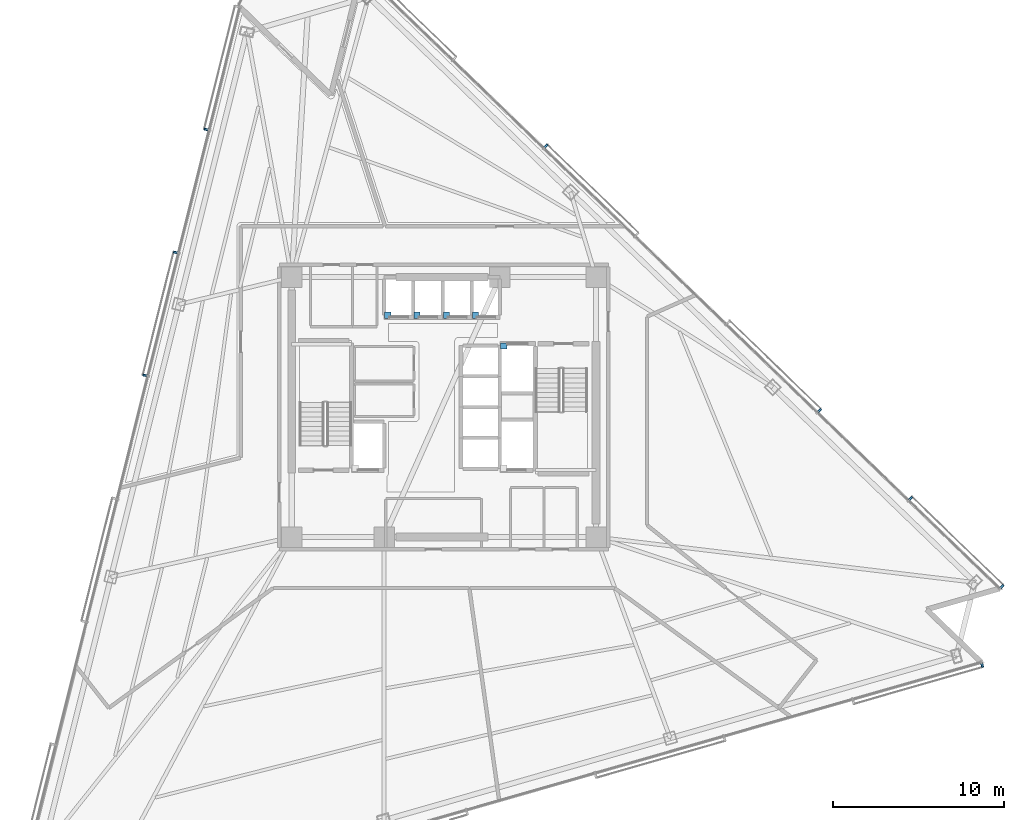
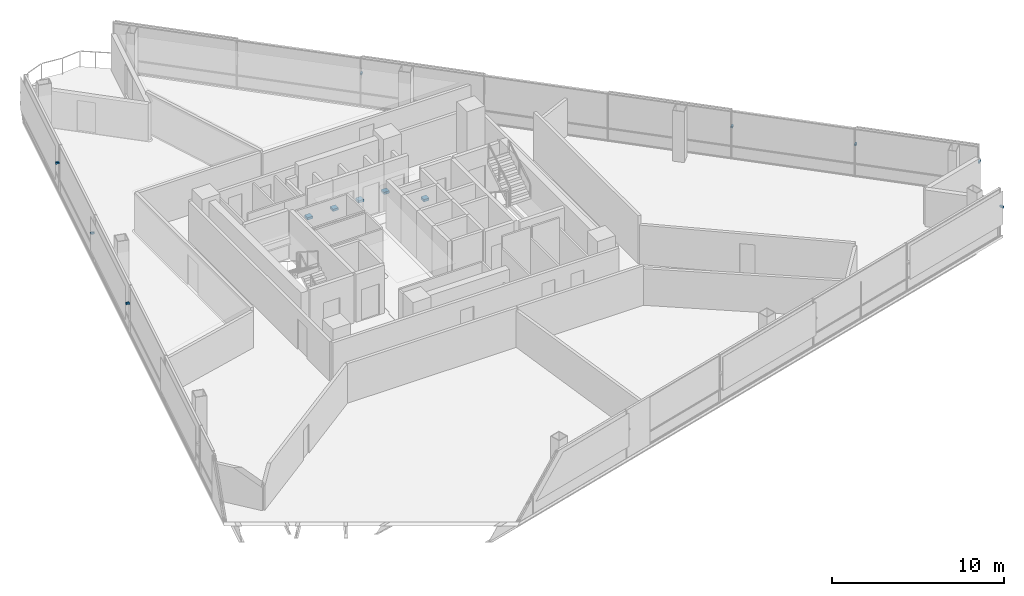
# One storey, part 13 of 18: 13 discrete accessories.
"""IFC4 building model written with IfcOpenShell, lengths in metres."""

from ifc_helpers import new_model, si_unit, direction, frame, origin, origin_2d, place, context, subcontext, project, spatial, rectangle, extrude, material, type_object, element, save


model = new_model("IFC4")

# Units and contexts
model_context = context("Model", 3, precision=1e-05, world=origin(), true_north=direction((0.0, 1.0)))
body_context = subcontext(model_context, "Body", "Model", "MODEL_VIEW")
ifc_project = project(units=[si_unit("LENGTHUNIT", "METRE"), si_unit("AREAUNIT", "SQUARE_METRE"), si_unit("VOLUMEUNIT", "CUBIC_METRE"), si_unit("PLANEANGLEUNIT", "RADIAN"), si_unit("MASSUNIT", "GRAM", prefix="KILO")], contexts=[model_context])

# Site, building, storey
site_placement = place(None, origin())
site = spatial("IfcSite", under=ifc_project, at=site_placement, CompositionType="ELEMENT")
building_placement = place(site_placement, origin())
building = spatial("IfcBuilding", under=site, at=building_placement, Name="Tharavind Bronze Gate", CompositionType="ELEMENT")
storey_placement = place(building_placement, frame((0.0, 0.0, 100.5)))
storey = spatial("IfcBuildingStorey", under=building, at=storey_placement, Name="L25", CompositionType="ELEMENT", Elevation=100.5)

# Discrete accessories
ifc_material_1 = material(Name="Galvanised Steel S355", Category="steel")
discrete_accessory_type_1 = type_object("IfcDiscreteAccessoryType", Name="LIFT GUIDE RAIL BRACKET", PredefinedType="BRACKET", material=ifc_material_1)
for number, where, z_axis, x_axis, name in (
    (1, (-3.280029296875, 5.3701171875, 1.1201171875), (0.0, 0.0, 1.0), (1.0, 0.0, 0.0), "Lift PL5 guide rail bracket at L25"),
    (2, (-1.5673828125, 5.3701171875, 1.1201171875), (0.0, 0.0, 1.0), (1.0, 0.0, 0.0), "Lift PL6 guide rail bracket at L25"),
    (3, (0.14501953125, 5.3701171875, 1.1201171875), (0.0, 0.0, 1.0), (1.0, 0.0, 0.0), "Lift PL7 guide rail bracket at L25"),
    (4, (1.857421875, 5.3701171875, 1.1201171875), (0.0, 0.0, 1.0), (1.0, 0.0, 0.0), "Lift PL8 guide rail bracket at L25"),
    (5, (3.5, 3.580078125, 1.1201171875), (0.0, 0.0, 1.0), (1.0, 0.0, 0.0), "Lift FFL2 guide rail bracket at L25"),
):
    element("IfcDiscreteAccessory", number, at=place(storey_placement, frame(where, z_axis=z_axis, x_axis=x_axis)), inside=storey, type_object=discrete_accessory_type_1, Name=name, PredefinedType="BRACKET", context=body_context, shape_type="SweptSolid", body=[
        extrude(rectangle(XDim=0.360107421875, YDim=0.360107421875, at=origin_2d()), origin(), (0.0, 0.0, 1.0), 0.159912109375),
    ])
ifc_material_2 = material(Name="Stainless Steel 316", Category="steel")
discrete_accessory_type_2 = type_object("IfcDiscreteAccessoryType", Name="SOLAR SCREEN STANDOFF BRACKET", PredefinedType="BRACKET", material=ifc_material_2)
for number, where, z_axis, x_axis, name in (
    (6, (-13.902099609375, 16.243896484375, 2.094970703125), (0.0, 0.0, 1.0), (-0.2419218956, -0.970295726276, 0.0), "CW-L25-S1 solar screen bracket 1.2"),
    (7, (-15.69580078125, 9.0498046875, 2.094970703125), (0.0, 0.0, 1.0), (-0.2419218956, -0.970295726276, 0.0), "CW-L25-S1 solar screen bracket 3.1"),
    (8, (-17.4892578125, 1.855712890625, 2.094970703125), (0.0, 0.0, 1.0), (-0.2419218956, -0.970295726276, 0.0), "CW-L25-S1 solar screen bracket 3.2"),
    (9, (31.48828125, -15.099609375, 2.094970703125), (0.0, 0.0, 1.0), (0.961261695938, 0.275637355817, 0.0), "CW-L25-S2 solar screen bracket 7.2"),
    (10, (32.637939453125, -10.489013671875, 2.094970703125), (0.0, 0.0, 1.0), (-0.719341012745, 0.694657114973, 0.0), "CW-L25-S3 solar screen bracket 1.1"),
    (11, (27.3046875, -5.338623046875, 2.094970703125), (0.0, 0.0, 1.0), (-0.719341012745, 0.694657114973, 0.0), "CW-L25-S3 solar screen bracket 1.2"),
    (12, (21.971435546875, -0.188232421875, 2.094970703125), (0.0, 0.0, 1.0), (-0.719341012745, 0.694657114973, 0.0), "CW-L25-S3 solar screen bracket 3.1"),
    (13, (5.97119140625, 15.2626953125, 2.094970703125), (0.0, 0.0, 1.0), (-0.719341012745, 0.694657114973, 0.0), "CW-L25-S3 solar screen bracket 5.2"),
):
    element("IfcDiscreteAccessory", number, at=place(storey_placement, frame(where, z_axis=z_axis, x_axis=x_axis)), inside=storey, type_object=discrete_accessory_type_2, Name=name, PredefinedType="BRACKET", context=body_context, shape_type="SweptSolid", body=[
        extrude(rectangle(XDim=0.1201171875, YDim=0.239990234375, at=origin_2d()), origin(), (0.0, 0.0, 1.0), 0.1201171875),
    ])

save(model, "model.ifc")
